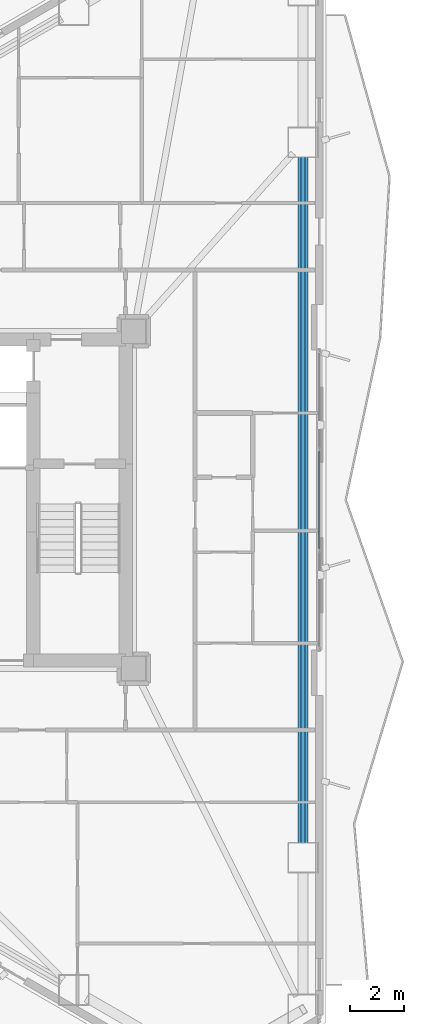
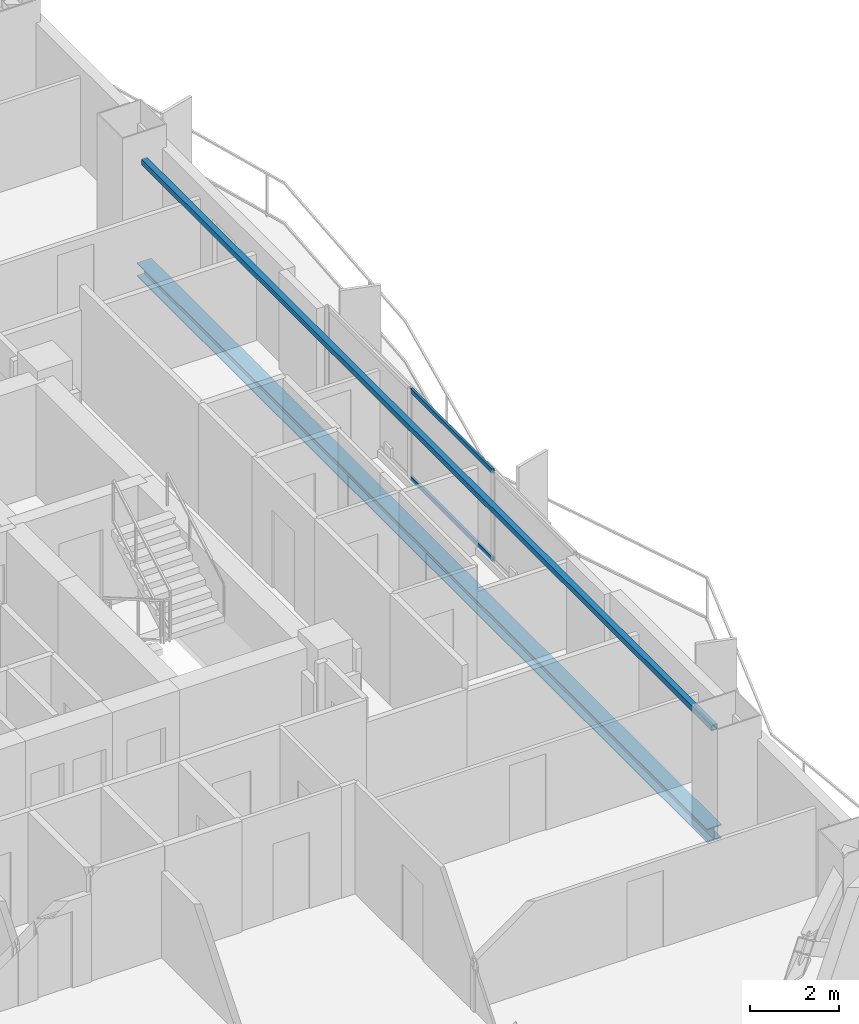
# One storey, part 9 of 23: 2 beams, 2 members, 1 element without a shape of its own.
"""IFC4 building model written with IfcOpenShell, lengths in metres."""

from ifc_helpers import new_model, si_unit, direction, frame, origin, origin_2d, place, context, subcontext, project, spatial, hollow_rectangle, i_section, extrude, material, layer, layer_set, material_profile, profile_set, type_object, element, aggregate, save


model = new_model("IFC4")

# Units and contexts
model_context = context("Model", 3, precision=1e-05, world=origin(), true_north=direction((0.0, 1.0)))
body_context = subcontext(model_context, "Body", "Model", "MODEL_VIEW")
ifc_project = project(units=[si_unit("LENGTHUNIT", "METRE"), si_unit("AREAUNIT", "SQUARE_METRE"), si_unit("VOLUMEUNIT", "CUBIC_METRE"), si_unit("PLANEANGLEUNIT", "RADIAN"), si_unit("MASSUNIT", "GRAM", prefix="KILO")], contexts=[model_context])

# Site, building, storey
site_placement = place(None, origin())
site = spatial("IfcSite", under=ifc_project, at=site_placement, CompositionType="ELEMENT")
building_placement = place(site_placement, origin())
building = spatial("IfcBuilding", under=site, at=building_placement, Name="Mersakhor Tower and Convention Hall", CompositionType="ELEMENT")
storey_placement = place(building_placement, frame((0.0, 0.0, 73.5)))
storey = spatial("IfcBuildingStorey", under=building, at=storey_placement, Name="L19", CompositionType="ELEMENT", Elevation=73.5)

# Beams
ifc_material_1 = material(Name="Steel S355", Category="steel")
ifc_material_profile_1 = material_profile(ifc_material_1, hollow_rectangle(XDim=0.14990234375, YDim=0.14990234375, WallThickness=0.010009765625, at=origin_2d()), Name="SHS 150x150x10")
ifc_profile_set_1 = profile_set([ifc_material_profile_1], Name="Steel S355")
beam_type_1 = type_object("IfcBeamType", Name="BM-GRT-SHS150", PredefinedType="USERDEFINED", material=ifc_profile_set_1)
beam_1_placement = place(storey_placement, frame((42.4345703125, 39.566650390625, 2.47998046875), z_axis=(0.0, -1.0, 0.0), x_axis=(1.0, 0.0, 0.0)))
element("IfcBeam", 1, at=beam_1_placement, inside=storey, type_object=beam_type_1, Name="L19 Facade Support Girt GRT-F2", ObjectType="GIRT", PredefinedType="USERDEFINED", context=body_context, shape_type="SweptSolid", body=[
    extrude(hollow_rectangle(XDim=0.14990234375, YDim=0.14990234375, WallThickness=0.010009765625, at=origin_2d()), origin(), (0.0, 0.0, 1.0), 25.63330078125),
])
ifc_material_2 = material(Name="Steel S355", Category="steel")
ifc_material_profile_2 = material_profile(ifc_material_2, i_section(OverallWidth=0.374755859375, OverallDepth=0.37451171875, WebThickness=0.0166015625, FlangeThickness=0.027099609375, at=origin_2d()), Name="UC 356x368x202")
ifc_profile_set_2 = profile_set([ifc_material_profile_2], Name="Steel S355")
beam_type_2 = type_object("IfcBeamType", Name="BM-SPD-UC356", PredefinedType="SPANDREL", material=ifc_profile_set_2)
beam_2_placement = place(storey_placement, frame((42.4345703125, 39.566650390625, -0.437255859375), z_axis=(0.0, -1.0, 0.0), x_axis=(1.0, 0.0, 0.0)))
element("IfcBeam", 2, at=beam_2_placement, inside=storey, type_object=beam_type_2, Name="L19 Perimeter Spandrel Beam SPB-06", PredefinedType="SPANDREL", context=body_context, shape_type="SweptSolid", body=[
    extrude(i_section(OverallWidth=0.374755859375, OverallDepth=0.37451171875, WebThickness=0.0166015625, FlangeThickness=0.027099609375, at=origin_2d()), origin(), (0.0, 0.0, 1.0), 25.63330078125),
])

# Curtain wall, members
ifc_material_3 = material(Name="Dark solar low-E aluminium curtain wall", Category="aluminium")
ifc_layer = layer(ifc_material_3, 0.159912109375)
ifc_layer_set = layer_set([ifc_layer], Name="Dark solar low-E aluminium curtain wall")
curtain_wall_type = type_object("IfcCurtainWallType", Name="CW-SYS-01", PredefinedType="USERDEFINED", material=ifc_layer_set)
curtain_wall_placement = place(storey_placement, origin())
curtain_wall = element("IfcCurtainWall", 3, at=curtain_wall_placement, inside=storey, type_object=curtain_wall_type, Name="L19 Dark-Glass Curtain Wall F2-B2", ObjectType="CURTAIN WALL", PredefinedType="USERDEFINED")
ifc_material_4 = material(Name="Anodised aluminium EN AW-6063 T6", Category="aluminium")
ifc_material_profile_3 = material_profile(ifc_material_4, hollow_rectangle(XDim=0.06005859375, YDim=0.1201171875, WallThickness=0.0048828125, at=origin_2d()), Name="RHS 120x60x5")
ifc_profile_set_3 = profile_set([ifc_material_profile_3], Name="Anodised aluminium EN AW-6063 T6")
member_type = type_object("IfcMemberType", Name="CWT-120x60", PredefinedType="USERDEFINED", material=ifc_profile_set_3)
member_1_placement = place(storey_placement, frame((43.03466796875, 28.583984375, 0.22998046875), z_axis=(0.0, -1.0, 0.0), x_axis=(1.0, 0.0, 0.0)))
member_1 = element("IfcMember", 4, at=member_1_placement, type_object=member_type, Name="CW-01 transom 2.1", ObjectType="TRANSOM", PredefinedType="USERDEFINED", context=body_context, shape_type="SweptSolid", body=[
    extrude(hollow_rectangle(XDim=0.06005859375, YDim=0.1201171875, WallThickness=0.0048828125, at=origin_2d()), origin(), (0.0, 0.0, 1.0), 3.66796875),
])
member_2_placement = place(storey_placement, frame((43.03466796875, 28.583984375, 2.639892578125), z_axis=(0.0, -1.0, 0.0), x_axis=(1.0, 0.0, 0.0)))
member_2 = element("IfcMember", 5, at=member_2_placement, type_object=member_type, Name="CW-01 transom 2.2", ObjectType="TRANSOM", PredefinedType="USERDEFINED", context=body_context, shape_type="SweptSolid", body=[
    extrude(hollow_rectangle(XDim=0.06005859375, YDim=0.1201171875, WallThickness=0.0048828125, at=origin_2d()), origin(), (0.0, 0.0, 1.0), 3.66796875),
])
aggregate(curtain_wall, [member_1, member_2])

save(model, "model.ifc")
